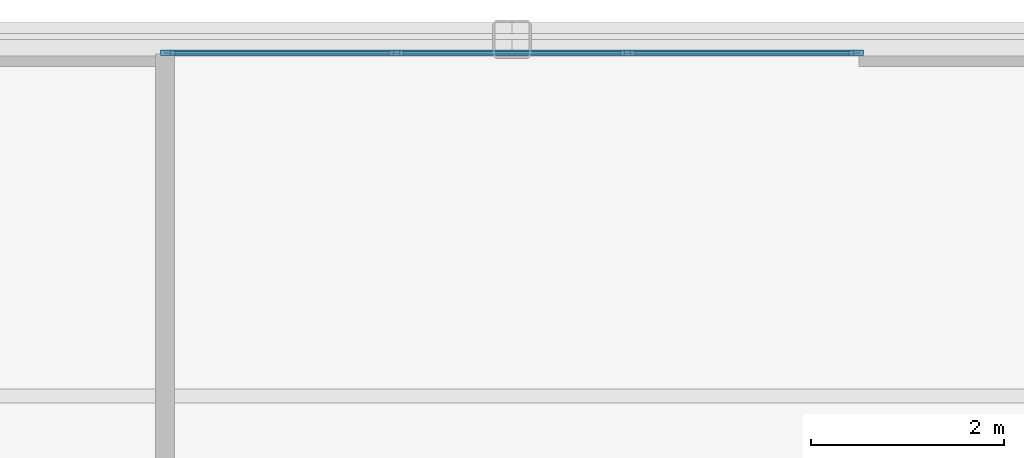
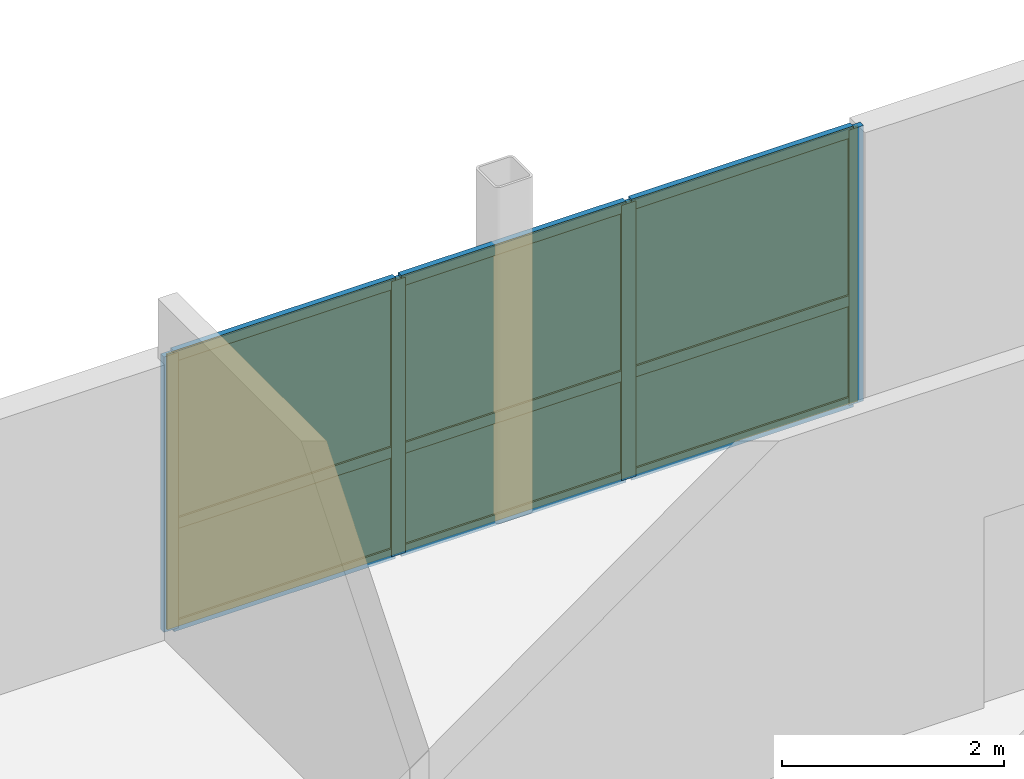
# One storey, part 6 of 10: 13 members, 6 plates, 1 curtain wall.
"""IFC4 building model written with IfcOpenShell, lengths in metres."""

import ifcopenshell
import ifcopenshell.guid

model = None  # the IFC model being written
_history = None  # IfcOwnerHistory: only IFC2X3 demands one
_inside = {}  # id of a spatial element -> (the spatial element, [elements in it])
_under = {}  # id of a project, library or spatial element -> (it, [spatial elements below it])
_declared = {}  # id of a project -> (the project, [libraries it declares])
_typed = {}  # id of a type object -> (the type object, [elements of that type])
_made_of = {}  # id of a material, layer set ... -> (it, [elements and type objects made of it])


def new_model(schema):
    """Start an empty IFC model of exactly this schema.

    Asked for "IFC4X3", IfcOpenShell would pick the latest addendum, in which some entities
    have other attributes; the version numbers below select the first issue.
    IFC2X3 requires an IfcOwnerHistory on every rooted entity: one is made here for all.
    """
    global model, _history
    if schema == "IFC4X3":
        model = ifcopenshell.file(schema_version=(4, 3, 0, 0))
    else:
        model = ifcopenshell.file(schema=schema)
    _inside.clear()
    _under.clear()
    _declared.clear()
    _typed.clear()
    _made_of.clear()
    _history = None
    if model.schema == "IFC2X3":
        org = make("IfcOrganization", Name="unknown")
        user = make(
            "IfcPersonAndOrganization",
            ThePerson=make("IfcPerson", FamilyName="unknown"),
            TheOrganization=org,
        )
        app = make(
            "IfcApplication",
            ApplicationDeveloper=org,
            Version="unknown",
            ApplicationFullName="unknown",
            ApplicationIdentifier="unknown",
        )
        _history = make(
            "IfcOwnerHistory",
            OwningUser=user,
            OwningApplication=app,
            ChangeAction="ADDED",
            CreationDate=0,
        )
    return model


def make(cls, **values):
    """One entity of the class cls with the attributes given. An attribute that is None is left unset."""
    return model.create_entity(
        cls, **{name: value for name, value in values.items() if value is not None}
    )


def rooted(cls, **values):
    """An entity with a GlobalId (a new one), such as an element, a storey or a relation."""
    return make(cls, GlobalId=ifcopenshell.guid.new(), OwnerHistory=_history, **values)


def si_unit(unit_type, name, prefix=None):
    """IfcSIUnit, for example si_unit("LENGTHUNIT", "METRE", prefix="MILLI")."""
    return make("IfcSIUnit", UnitType=unit_type, Prefix=prefix, Name=name)


def assignment(units):
    """IfcUnitAssignment: the units of a project."""
    return None if units is None else make("IfcUnitAssignment", Units=units)


def point(xyz):
    """IfcCartesianPoint."""
    return None if xyz is None else make("IfcCartesianPoint", Coordinates=xyz)


def direction(xyz):
    """IfcDirection."""
    return None if xyz is None else make("IfcDirection", DirectionRatios=xyz)


def frame(location, z_axis=None, x_axis=None):
    """IfcAxis2Placement3D, a coordinate frame: its origin and axes. An axis left out is left unset."""
    return make(
        "IfcAxis2Placement3D",
        Location=point(location),
        Axis=direction(z_axis),
        RefDirection=direction(x_axis),
    )


def frame_2d(location, x_axis=None):
    """IfcAxis2Placement2D, a coordinate frame in the plane: its origin and x axis."""
    return make(
        "IfcAxis2Placement2D", Location=point(location), RefDirection=direction(x_axis)
    )


def origin():
    """The frame at (0, 0, 0) with its axes left unset."""
    return frame((0.0, 0.0, 0.0))


def origin_2d():
    """The frame at (0, 0) in the plane with its x axis left unset."""
    return frame_2d((0.0, 0.0))


def place(relative_to, where):
    """IfcLocalPlacement: puts the frame where relative to a parent placement (None: the world)."""
    return make(
        "IfcLocalPlacement", PlacementRelTo=relative_to, RelativePlacement=where
    )


def context(
    kind, dimensions, precision=None, world=None, true_north=None, identifier=None
):
    """IfcGeometricRepresentationContext, for example the 3D "Model" context."""
    return make(
        "IfcGeometricRepresentationContext",
        ContextIdentifier=identifier,
        ContextType=kind,
        CoordinateSpaceDimension=dimensions,
        Precision=precision,
        WorldCoordinateSystem=world,
        TrueNorth=true_north,
    )


def subcontext(parent, identifier, kind, view, scale=None):
    """IfcGeometricRepresentationSubContext, for example "Body" below "Model"."""
    return make(
        "IfcGeometricRepresentationSubContext",
        ContextIdentifier=identifier,
        ContextType=kind,
        ParentContext=parent,
        TargetScale=scale,
        TargetView=view,
    )


def project(units=None, contexts=None):
    """IfcProject with its units and contexts."""
    return rooted(
        "IfcProject",
        Name="project",
        RepresentationContexts=contexts,
        UnitsInContext=assignment(units),
    )


def spatial(cls, under=None, at=None, **own):
    """A site, building, storey or space (cls), placed at a placement, below another one or the project."""
    s = rooted(cls, ObjectPlacement=at, **own)
    if under is not None:
        _under.setdefault(under.id(), (under, []))[1].append(s)
    return s


def profile(cls, at=None, kind="AREA", **sizes):
    """A parametric profile (cls). Its sizes go by their IFC names, for example OverallWidth=200.0."""
    return make(cls, ProfileType=kind, Position=at, **sizes)


def rectangle(**sizes):
    """IfcRectangleProfileDef."""
    return profile("IfcRectangleProfileDef", **sizes)


def extrude(swept, where, along, depth):
    """IfcExtrudedAreaSolid: the profile swept, set in the frame where, extruded along a direction by depth."""
    return make(
        "IfcExtrudedAreaSolid",
        SweptArea=swept,
        Position=where,
        ExtrudedDirection=direction(along),
        Depth=depth,
    )


def shape(context_of_items, identifier, shape_type, items):
    """IfcShapeRepresentation: the items that make up one representation, for example the "Body"."""
    return make(
        "IfcShapeRepresentation",
        ContextOfItems=context_of_items,
        RepresentationIdentifier=identifier,
        RepresentationType=shape_type,
        Items=items,
    )


def source(mapping_origin, context_of_items, identifier, shape_type, items):
    """IfcRepresentationMap: a shape defined once, which mapped items show again and again."""
    return make(
        "IfcRepresentationMap",
        MappingOrigin=mapping_origin,
        MappedRepresentation=shape(context_of_items, identifier, shape_type, items),
    )


def transform(
    local_origin,
    x_axis=None,
    y_axis=None,
    z_axis=None,
    scale=None,
    scale2=None,
    scale3=None,
    uniform=True,
):
    """IfcCartesianTransformationOperator3D, or its non-uniform kind. x_axis, y_axis, z_axis: its Axis1, 2, 3."""
    if uniform:
        return make(
            "IfcCartesianTransformationOperator3D",
            Axis1=direction(x_axis),
            Axis2=direction(y_axis),
            LocalOrigin=point(local_origin),
            Scale=scale,
            Axis3=direction(z_axis),
        )
    return make(
        "IfcCartesianTransformationOperator3DnonUniform",
        Axis1=direction(x_axis),
        Axis2=direction(y_axis),
        LocalOrigin=point(local_origin),
        Scale=scale,
        Axis3=direction(z_axis),
        Scale2=scale2,
        Scale3=scale3,
    )


def mapped(mapping_source, mapping_target):
    """IfcMappedItem: shows the shape of a source again, moved by a transform."""
    return make(
        "IfcMappedItem", MappingSource=mapping_source, MappingTarget=mapping_target
    )


def material(Name=None, Category=None):
    """IfcMaterial."""
    return make("IfcMaterial", Name=Name, Category=Category)


def layer(
    of_material, thickness, ventilated=None, Name=None, Category=None, Priority=None
):
    """IfcMaterialLayer: one layer of a wall or slab, of a material (None: an air gap)."""
    return make(
        "IfcMaterialLayer",
        Material=of_material,
        LayerThickness=thickness,
        IsVentilated=ventilated,
        Name=Name,
        Category=Category,
        Priority=Priority,
    )


def layer_set(layers, Name=None):
    """IfcMaterialLayerSet."""
    return make("IfcMaterialLayerSet", MaterialLayers=layers, LayerSetName=Name)


def material_profile(
    of_material, cross_section, Name=None, Category=None, Priority=None
):
    """IfcMaterialProfile: a cross section and its material."""
    return make(
        "IfcMaterialProfile",
        Name=Name,
        Material=of_material,
        Profile=cross_section,
        Priority=Priority,
        Category=Category,
    )


def profile_set(profiles, Name=None, composite=None):
    """IfcMaterialProfileSet."""
    return make(
        "IfcMaterialProfileSet",
        Name=Name,
        MaterialProfiles=profiles,
        CompositeProfile=composite,
    )


def made_of(thing, what):
    """Note that an element or type object is made of a material, layer set ...; save() writes the relation."""
    if what is not None:
        _made_of.setdefault(what.id(), (what, []))[1].append(thing)
    return thing


def type_object(cls, material=None, **own):
    """A type object (cls), such as IfcWallType, which elements share."""
    return made_of(rooted(cls, **own), material)


def type_shapes(of_type, sources):
    """Give a type object the sources (RepresentationMaps) that its elements show as mapped items."""
    of_type.RepresentationMaps = sources


def element(
    cls,
    number,
    at=None,
    inside=None,
    cuts=None,
    type_object=None,
    material=None,
    context=None,
    identifier="Body",
    shape_type=None,
    held_by="IfcProductDefinitionShape",
    body=None,
    shapes=None,
    **own,
):
    """One element of the class cls, such as IfcWall. Its Tag is "e" and its number.

    at: its placement. inside: the storey or other place that contains it. cuts: it is an
    opening in that element (IfcRelVoidsElement). A single representation is given by context,
    identifier, shape_type and body (its items); several are given by shapes. held_by: the class
    of the entity that holds the representations. save() writes the other relations.
    """
    e = rooted(cls, Tag="e%d" % number, ObjectPlacement=at, **own)
    if body is not None:
        shapes = [shape(context, identifier, shape_type, body)]
    if shapes is not None:
        e.Representation = make(held_by, Representations=shapes)
    if inside is not None:
        _inside.setdefault(inside.id(), (inside, []))[1].append(e)
    if cuts is not None:
        rooted(
            "IfcRelVoidsElement", RelatingBuildingElement=cuts, RelatedOpeningElement=e
        )
    if type_object is not None:
        _typed.setdefault(type_object.id(), (type_object, []))[1].append(e)
    return made_of(e, material)


def aggregate(whole, parts):
    """IfcRelAggregates: a whole, such as a stair, and the parts it consists of."""
    return rooted("IfcRelAggregates", RelatingObject=whole, RelatedObjects=parts)


def save(model, path):
    """Write the relations noted so far, then the file.

    IfcRelAggregates (storeys below a building ...), IfcRelContainedInSpatialStructure (elements
    in a storey), IfcRelDefinesByType, IfcRelAssociatesMaterial and IfcRelDeclares: one each for
    every whole, place, type object, material and project.
    """
    for whole, parts in _under.values():
        aggregate(whole, parts)
    for where, things in _inside.values():
        rooted(
            "IfcRelContainedInSpatialStructure",
            RelatedElements=things,
            RelatingStructure=where,
        )
    for kind, things in _typed.values():
        rooted("IfcRelDefinesByType", RelatedObjects=things, RelatingType=kind)
    for what, things in _made_of.values():
        rooted("IfcRelAssociatesMaterial", RelatedObjects=things, RelatingMaterial=what)
    for by, libraries in _declared.values():
        rooted("IfcRelDeclares", RelatingContext=by, RelatedDefinitions=libraries)
    model.write(path)


model = new_model("IFC4")

# Units and contexts
model_context = context("Model", 3, precision=1e-05, world=origin(), true_north=direction((0.0, 1.0)))
body_context = subcontext(model_context, "Body", "Model", "MODEL_VIEW")
ifc_project = project(units=[si_unit("LENGTHUNIT", "METRE"), si_unit("AREAUNIT", "SQUARE_METRE"), si_unit("VOLUMEUNIT", "CUBIC_METRE"), si_unit("PLANEANGLEUNIT", "RADIAN"), si_unit("MASSUNIT", "GRAM", prefix="KILO")], contexts=[model_context])

# Member
ifc_material_1 = material(Name="Anodised aluminium 6063-T6", Category="aluminium")
ifc_material_profile_1 = material_profile(ifc_material_1, rectangle(XDim=0.06005859375, YDim=0.14990234375, at=origin_2d()), Name="ALU-MULL-60x150")
ifc_profile_set_1 = profile_set([ifc_material_profile_1], Name="Anodised aluminium 6063-T6")
member_type_1 = type_object("IfcMemberType", Name="CWM-6", PredefinedType="MULLION", material=ifc_profile_set_1)
site_placement = place(None, origin())
building_placement = place(site_placement, origin())
storey_placement = place(building_placement, frame((0.0, 0.0, 291.14990234375)))
member_1_placement = place(storey_placement, frame((-3.570068359375, 16.860107421875, 0.0), z_axis=(0.0, 0.0, 1.0), x_axis=(0.0, 1.0, 0.0)))
member_1 = element("IfcMember", 1, at=member_1_placement, type_object=member_type_1, Name="CWS-6 mullion 1", PredefinedType="MULLION", context=body_context, shape_type="SweptSolid", body=[
    extrude(rectangle(XDim=0.06005859375, YDim=0.14990234375, at=origin_2d()), origin(), (0.0, 0.0, 1.0), 3.03515625),
])

member_2_placement = place(storey_placement, frame((-1.199951171875, 16.860107421875, 0.0), z_axis=(0.0, 0.0, 1.0), x_axis=(0.0, 1.0, 0.0)))
member_2 = element("IfcMember", 2, at=member_2_placement, type_object=member_type_1, Name="CWS-6 mullion 2", PredefinedType="MULLION", context=body_context, shape_type="SweptSolid", body=[
    extrude(rectangle(XDim=0.06005859375, YDim=0.14990234375, at=origin_2d()), origin(), (0.0, 0.0, 1.0), 3.03515625),
])

member_3_placement = place(storey_placement, frame((1.199951171875, 16.860107421875, 0.0), z_axis=(0.0, 0.0, 1.0), x_axis=(0.0, 1.0, 0.0)))
member_3 = element("IfcMember", 3, at=member_3_placement, type_object=member_type_1, Name="CWS-6 mullion 3", PredefinedType="MULLION", context=body_context, shape_type="SweptSolid", body=[
    extrude(rectangle(XDim=0.06005859375, YDim=0.14990234375, at=origin_2d()), origin(), (0.0, 0.0, 1.0), 3.03515625),
])

member_4_placement = place(storey_placement, frame((3.570068359375, 16.860107421875, 0.0), z_axis=(0.0, 0.0, 1.0), x_axis=(0.0, 1.0, 0.0)))
member_4 = element("IfcMember", 4, at=member_4_placement, type_object=member_type_1, Name="CWS-6 mullion 4", PredefinedType="MULLION", context=body_context, shape_type="SweptSolid", body=[
    extrude(rectangle(XDim=0.06005859375, YDim=0.14990234375, at=origin_2d()), origin(), (0.0, 0.0, 1.0), 3.03515625),
])

ifc_material_profile_2 = material_profile(ifc_material_1, rectangle(XDim=0.06005859375, YDim=0.1201171875, at=origin_2d()), Name="ALU-TRAN-60x120")
ifc_profile_set_2 = profile_set([ifc_material_profile_2], Name="Anodised aluminium 6063-T6")
member_type_2 = type_object("IfcMemberType", Name="CWT-6", PredefinedType="USERDEFINED", material=ifc_profile_set_2)
member_5_placement = place(storey_placement, frame((-3.5400390625, 16.860107421875, 0.030029296875), z_axis=(1.0, 0.0, 0.0), x_axis=(0.0, 1.0, 0.0)))
member_5 = element("IfcMember", 5, at=member_5_placement, type_object=member_type_2, Name="CWS-6 transom 1.1", ObjectType="TRANSOM", PredefinedType="USERDEFINED", context=body_context, shape_type="SweptSolid", body=[
    extrude(rectangle(XDim=0.06005859375, YDim=0.1201171875, at=origin_2d()), origin(), (0.0, 0.0, 1.0), 2.31005859375),
])

member_6_placement = place(storey_placement, frame((-3.5400390625, 16.860107421875, 1.1533203125), z_axis=(1.0, 0.0, 0.0), x_axis=(0.0, 1.0, 0.0)))
member_6 = element("IfcMember", 6, at=member_6_placement, type_object=member_type_2, Name="CWS-6 transom 1.2", ObjectType="TRANSOM", PredefinedType="USERDEFINED", context=body_context, shape_type="SweptSolid", body=[
    extrude(rectangle(XDim=0.06005859375, YDim=0.1201171875, at=origin_2d()), origin(), (0.0, 0.0, 1.0), 2.31005859375),
])

member_7_placement = place(storey_placement, frame((-3.5400390625, 16.860107421875, 3.005126953125), z_axis=(1.0, 0.0, 0.0), x_axis=(0.0, 1.0, 0.0)))
member_7 = element("IfcMember", 7, at=member_7_placement, type_object=member_type_2, Name="CWS-6 transom 1.3", ObjectType="TRANSOM", PredefinedType="USERDEFINED", context=body_context, shape_type="SweptSolid", body=[
    extrude(rectangle(XDim=0.06005859375, YDim=0.1201171875, at=origin_2d()), origin(), (0.0, 0.0, 1.0), 2.31005859375),
])

member_8_placement = place(storey_placement, frame((-1.169921875, 16.860107421875, 0.030029296875), z_axis=(1.0, 0.0, 0.0), x_axis=(0.0, 1.0, 0.0)))
member_8 = element("IfcMember", 8, at=member_8_placement, type_object=member_type_2, Name="CWS-6 transom 2.1", ObjectType="TRANSOM", PredefinedType="USERDEFINED", context=body_context, shape_type="SweptSolid", body=[
    extrude(rectangle(XDim=0.06005859375, YDim=0.1201171875, at=origin_2d()), origin(), (0.0, 0.0, 1.0), 2.33984375),
])

member_9_placement = place(storey_placement, frame((-1.169921875, 16.860107421875, 1.1533203125), z_axis=(1.0, 0.0, 0.0), x_axis=(0.0, 1.0, 0.0)))
member_9 = element("IfcMember", 9, at=member_9_placement, type_object=member_type_2, Name="CWS-6 transom 2.2", ObjectType="TRANSOM", PredefinedType="USERDEFINED", context=body_context, shape_type="SweptSolid", body=[
    extrude(rectangle(XDim=0.06005859375, YDim=0.1201171875, at=origin_2d()), origin(), (0.0, 0.0, 1.0), 2.33984375),
])

member_10_placement = place(storey_placement, frame((-1.169921875, 16.860107421875, 3.005126953125), z_axis=(1.0, 0.0, 0.0), x_axis=(0.0, 1.0, 0.0)))
member_10 = element("IfcMember", 10, at=member_10_placement, type_object=member_type_2, Name="CWS-6 transom 2.3", ObjectType="TRANSOM", PredefinedType="USERDEFINED", context=body_context, shape_type="SweptSolid", body=[
    extrude(rectangle(XDim=0.06005859375, YDim=0.1201171875, at=origin_2d()), origin(), (0.0, 0.0, 1.0), 2.33984375),
])

member_11_placement = place(storey_placement, frame((1.22998046875, 16.860107421875, 0.030029296875), z_axis=(1.0, 0.0, 0.0), x_axis=(0.0, 1.0, 0.0)))
member_11 = element("IfcMember", 11, at=member_11_placement, type_object=member_type_2, Name="CWS-6 transom 3.1", ObjectType="TRANSOM", PredefinedType="USERDEFINED", context=body_context, shape_type="SweptSolid", body=[
    extrude(rectangle(XDim=0.06005859375, YDim=0.1201171875, at=origin_2d()), origin(), (0.0, 0.0, 1.0), 2.31005859375),
])

member_12_placement = place(storey_placement, frame((1.22998046875, 16.860107421875, 1.1533203125), z_axis=(1.0, 0.0, 0.0), x_axis=(0.0, 1.0, 0.0)))
member_12 = element("IfcMember", 12, at=member_12_placement, type_object=member_type_2, Name="CWS-6 transom 3.2", ObjectType="TRANSOM", PredefinedType="USERDEFINED", context=body_context, shape_type="SweptSolid", body=[
    extrude(rectangle(XDim=0.06005859375, YDim=0.1201171875, at=origin_2d()), origin(), (0.0, 0.0, 1.0), 2.31005859375),
])

member_13_placement = place(storey_placement, frame((1.22998046875, 16.860107421875, 3.005126953125), z_axis=(1.0, 0.0, 0.0), x_axis=(0.0, 1.0, 0.0)))
member_13 = element("IfcMember", 13, at=member_13_placement, type_object=member_type_2, Name="CWS-6 transom 3.3", ObjectType="TRANSOM", PredefinedType="USERDEFINED", context=body_context, shape_type="SweptSolid", body=[
    extrude(rectangle(XDim=0.06005859375, YDim=0.1201171875, at=origin_2d()), origin(), (0.0, 0.0, 1.0), 2.31005859375),
])

# Plate
ifc_material_2 = material(Name="Insulated solar-control glass", Category="glass")
ifc_layer_1 = layer(ifc_material_2, 0.02392578125, Name="CWP-6")
ifc_layer_set_1 = layer_set([ifc_layer_1], Name="Insulated solar-control glass")
plate_type = type_object("IfcPlateType", Name="CWP-6", PredefinedType="CURTAIN_PANEL", material=ifc_layer_set_1)
shared_shape_1 = source(origin(), body_context, "Body", "SweptSolid", [
    extrude(rectangle(XDim=2.31005859375, YDim=0.02392578125, at=origin_2d()), origin(), (0.0, 0.0, 1.0), 1.063232421875),
])
plate_1_placement = place(storey_placement, frame((-2.385009765625, 16.860107421875, 0.06005859375), z_axis=(0.0, 0.0, 1.0), x_axis=(1.0, 0.0, 0.0)))
plate_1 = element("IfcPlate", 14, at=plate_1_placement, type_object=plate_type, Name="CWS-6 panel 1.1", PredefinedType="CURTAIN_PANEL", context=body_context, shape_type="MappedRepresentation", body=[
    mapped(shared_shape_1, transform((0.0, 0.0, 0.0), scale=1.0)),
])

plate_2_placement = place(storey_placement, frame((2.385009765625, 16.860107421875, 0.06005859375), z_axis=(0.0, 0.0, 1.0), x_axis=(1.0, 0.0, 0.0)))
plate_2 = element("IfcPlate", 15, at=plate_2_placement, type_object=plate_type, Name="CWS-6 panel 3.1", PredefinedType="CURTAIN_PANEL", context=body_context, shape_type="MappedRepresentation", body=[
    mapped(shared_shape_1, transform((0.0, 0.0, 0.0), scale=1.0)),
])

shared_shape_2 = source(origin(), body_context, "Body", "SweptSolid", [
    extrude(rectangle(XDim=2.31005859375, YDim=0.02392578125, at=origin_2d()), origin(), (0.0, 0.0, 1.0), 1.791748046875),
])
plate_3_placement = place(storey_placement, frame((-2.385009765625, 16.860107421875, 1.18359375), z_axis=(0.0, 0.0, 1.0), x_axis=(1.0, 0.0, 0.0)))
plate_3 = element("IfcPlate", 16, at=plate_3_placement, type_object=plate_type, Name="CWS-6 panel 1.2", PredefinedType="CURTAIN_PANEL", context=body_context, shape_type="MappedRepresentation", body=[
    mapped(shared_shape_2, transform((0.0, 0.0, 0.0), scale=1.0)),
])

plate_4_placement = place(storey_placement, frame((2.385009765625, 16.860107421875, 1.18359375), z_axis=(0.0, 0.0, 1.0), x_axis=(1.0, 0.0, 0.0)))
plate_4 = element("IfcPlate", 17, at=plate_4_placement, type_object=plate_type, Name="CWS-6 panel 3.2", PredefinedType="CURTAIN_PANEL", context=body_context, shape_type="MappedRepresentation", body=[
    mapped(shared_shape_2, transform((0.0, 0.0, 0.0), scale=1.0)),
])

shared_shape_3 = source(origin(), body_context, "Body", "SweptSolid", [
    extrude(rectangle(XDim=2.340087890625, YDim=0.02392578125, at=origin_2d()), origin(), (0.0, 0.0, 1.0), 1.063232421875),
])
plate_5_placement = place(storey_placement, frame((0.0, 16.860107421875, 0.06005859375), z_axis=(0.0, 0.0, 1.0), x_axis=(1.0, 0.0, 0.0)))
plate_5 = element("IfcPlate", 18, at=plate_5_placement, type_object=plate_type, Name="CWS-6 panel 2.1", PredefinedType="CURTAIN_PANEL", context=body_context, shape_type="MappedRepresentation", body=[
    mapped(shared_shape_3, transform((0.0, 0.0, 0.0), scale=1.0)),
])

shared_shape_4 = source(origin(), body_context, "Body", "SweptSolid", [
    extrude(rectangle(XDim=2.340087890625, YDim=0.02392578125, at=origin_2d()), origin(), (0.0, 0.0, 1.0), 1.791748046875),
])
type_shapes(plate_type, [shared_shape_1, shared_shape_2, shared_shape_3, shared_shape_4])
plate_6_placement = place(storey_placement, frame((0.0, 16.860107421875, 1.18359375), z_axis=(0.0, 0.0, 1.0), x_axis=(1.0, 0.0, 0.0)))
plate_6 = element("IfcPlate", 19, at=plate_6_placement, type_object=plate_type, Name="CWS-6 panel 2.2", PredefinedType="CURTAIN_PANEL", context=body_context, shape_type="MappedRepresentation", body=[
    mapped(shared_shape_4, transform((0.0, 0.0, 0.0), scale=1.0)),
])

# Site, building, storey
site = spatial("IfcSite", under=ifc_project, at=site_placement, CompositionType="ELEMENT")
building = spatial("IfcBuilding", under=site, at=building_placement, Name="Nuvemarco Arch Tower", CompositionType="ELEMENT")
storey = spatial("IfcBuildingStorey", under=building, at=storey_placement, Name="L77", CompositionType="ELEMENT", Elevation=291.14990234375)

# Curtain wall
ifc_layer_2 = layer(ifc_material_2, 0.14990234375, Name="CW-SYS-6")
ifc_layer_set_2 = layer_set([ifc_layer_2], Name="Insulated solar-control glass")
curtain_wall_type = type_object("IfcCurtainWallType", Name="CW-SYS-6", PredefinedType="NOTDEFINED", material=ifc_layer_set_2)
curtain_wall_placement = place(storey_placement, frame((-3.60009765625, 16.860107421875, 0.0), z_axis=(0.0, 0.0, 1.0), x_axis=(1.0, 0.0, 0.0)))
curtain_wall = element("IfcCurtainWall", 20, at=curtain_wall_placement, inside=storey, type_object=curtain_wall_type, Name="L77 curtain wall CWS-6", PredefinedType="NOTDEFINED", context=body_context, shape_type="SweptSolid", body=[
    extrude(rectangle(XDim=7.2001953125, YDim=0.02001953125, at=frame_2d((3.60009765625, 0.0))), origin(), (0.0, 0.0, 1.0), 3.03515625),
])

aggregate(curtain_wall, [member_1, member_2, member_3, member_4, member_5, member_6, member_7, plate_1, plate_3, member_8, member_9, member_10, plate_5, plate_6, member_11, member_12, member_13, plate_2, plate_4])

save(model, "model.ifc")
